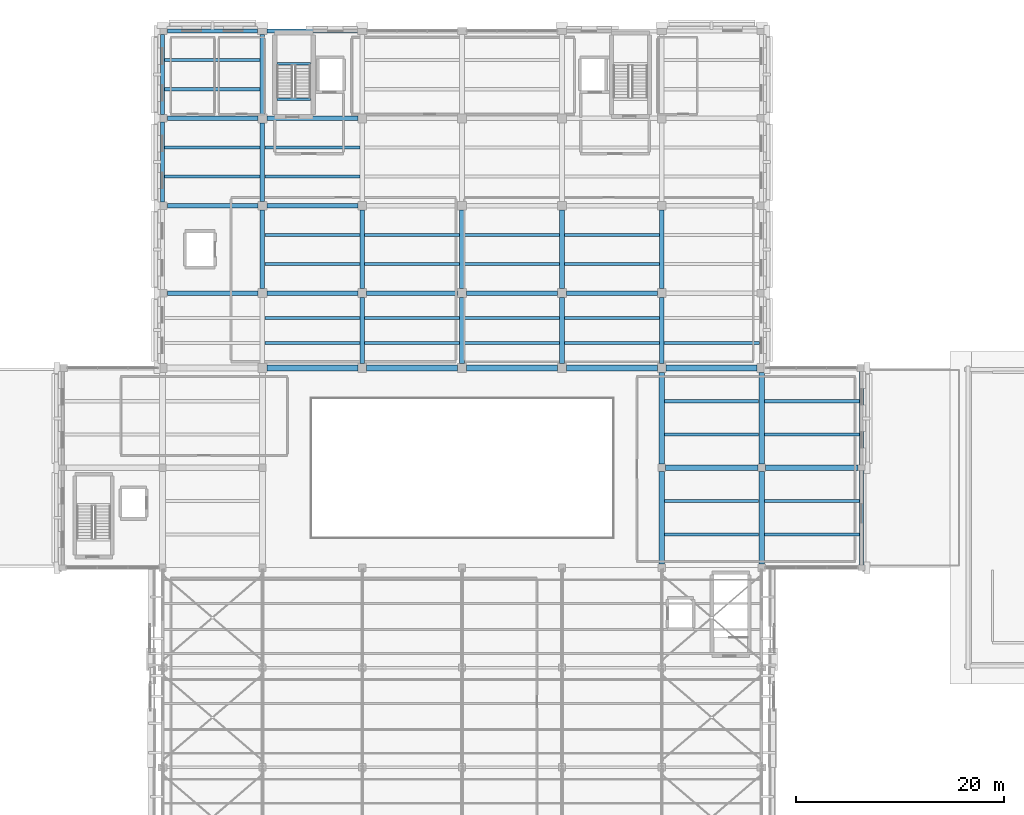
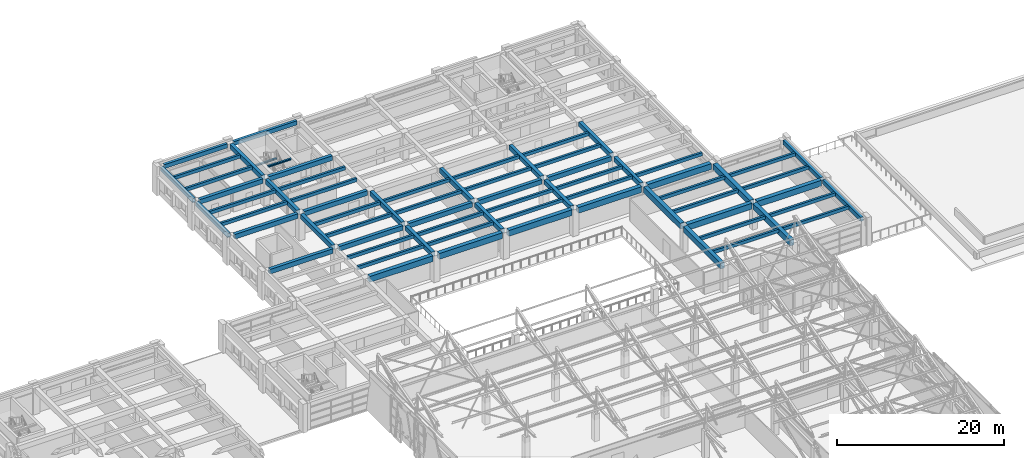
# One storey, part 29 of 71: 70 beams.
"""IFC4 building model written with IfcOpenShell, lengths in metres."""

from ifc_helpers import new_model, si_unit, direction, frame, origin, origin_2d, place, context, subcontext, project, spatial, rectangle, i_section, extrude, material, material_profile, profile_set, type_object, element, save


model = new_model("IFC4")

# Units and contexts
model_context = context("Model", 3, precision=1e-05, world=origin(), true_north=direction((0.0, 1.0)))
body_context = subcontext(model_context, "Body", "Model", "MODEL_VIEW")
ifc_project = project(units=[si_unit("LENGTHUNIT", "METRE"), si_unit("AREAUNIT", "SQUARE_METRE"), si_unit("VOLUMEUNIT", "CUBIC_METRE"), si_unit("PLANEANGLEUNIT", "RADIAN"), si_unit("MASSUNIT", "GRAM", prefix="KILO")], contexts=[model_context])

# Site, building, storey
site_placement = place(None, origin())
site = spatial("IfcSite", under=ifc_project, at=site_placement, CompositionType="ELEMENT")
building_placement = place(site_placement, origin())
building = spatial("IfcBuilding", under=site, at=building_placement, Name="Bempovik Park Faculty of Sciences", CompositionType="ELEMENT")
storey_placement = place(building_placement, frame((0.0, 0.0, 14.10009765625)))
storey = spatial("IfcBuildingStorey", under=building, at=storey_placement, Name="L03", CompositionType="ELEMENT", Elevation=14.10009765625)

# Beams
ifc_material_1 = material(Name="Concrete C35/45", Category="concrete")
ifc_material_profile_1 = material_profile(ifc_material_1, rectangle(XDim=0.3798828125, YDim=0.60009765625, at=origin_2d()), Name="RC 380x600")
ifc_profile_set_1 = profile_set([ifc_material_profile_1], Name="Concrete C35/45")
beam_type_1 = type_object("IfcBeamType", Name="B-032 RC 380x600", PredefinedType="SPANDREL", material=ifc_profile_set_1)
for number, where, z_axis, x_axis, name in (
    (1, (60.4560546875, 119.39990234375, 3.599853515625), (1.0, 0.0, 0.0), (0.0, 1.0, 0.0), "L03 Beam X (60.0-69.6, y=119.4)"),
    (2, (70.055908203125, 119.39990234375, 3.599853515625), (1.0, 0.0, 0.0), (0.0, 1.0, 0.0), "L03 Beam X (69.6-79.2, y=119.4)"),
):
    element("IfcBeam", number, at=place(storey_placement, frame(where, z_axis=z_axis, x_axis=x_axis)), inside=storey, type_object=beam_type_1, Name=name, PredefinedType="SPANDREL", context=body_context, shape_type="SweptSolid", body=[
        extrude(rectangle(XDim=0.3798828125, YDim=0.60009765625, at=origin_2d()), origin(), (0.0, 0.0, 1.0), 8.68798828125),
    ])
for number, where, z_axis, x_axis, name in (
    (3, (60.0, 102.9560546875, 3.599853515625), (0.0, 1.0, 0.0), (-1.0, 0.0, 0.0), "L03 Beam Y (x=60.0, 102.6-111.0)"),
    (4, (60.0, 111.35595703125, 3.599853515625), (0.0, 1.0, 0.0), (-1.0, 0.0, 0.0), "L03 Beam Y (x=60.0, 111.0-119.4)"),
):
    element("IfcBeam", number, at=place(storey_placement, frame(where, z_axis=z_axis, x_axis=x_axis)), inside=storey, type_object=beam_type_1, Name=name, PredefinedType="SPANDREL", context=body_context, shape_type="SweptSolid", body=[
        extrude(rectangle(XDim=0.3798828125, YDim=0.60009765625, at=origin_2d()), origin(), (0.0, 0.0, 1.0), 7.68798828125),
    ])
beam_1_placement = place(storey_placement, frame((127.199951171875, 68.055908203125, 3.599853515625), z_axis=(0.0, 1.0, 0.0), x_axis=(-1.0, 0.0, 0.0)))
element("IfcBeam", 5, at=beam_1_placement, inside=storey, type_object=beam_type_1, Name="L03 Beam Y (x=127.2, 67.8-77.4)", PredefinedType="SPANDREL", context=body_context, shape_type="SweptSolid", body=[
    extrude(rectangle(XDim=0.3798828125, YDim=0.60009765625, at=origin_2d()), origin(), (0.0, 0.0, 1.0), 9.088134765625),
])
beam_2_placement = place(storey_placement, frame((127.199951171875, 77.656005859375, 3.599853515625), z_axis=(0.0, 1.0, 0.0), x_axis=(-1.0, 0.0, 0.0)))
element("IfcBeam", 6, at=beam_2_placement, inside=storey, type_object=beam_type_1, Name="L03 Beam Y (x=127.2, 77.4-87.0)", PredefinedType="SPANDREL", context=body_context, shape_type="SweptSolid", body=[
    extrude(rectangle(XDim=0.3798828125, YDim=0.60009765625, at=origin_2d()), origin(), (0.0, 0.0, 1.0), 8.988037109375),
])
ifc_material_profile_2 = material_profile(ifc_material_1, rectangle(XDim=0.300048828125, YDim=0.47998046875, at=origin_2d()), Name="RC 300x480")
ifc_profile_set_2 = profile_set([ifc_material_profile_2], Name="Concrete C35/45")
beam_type_2 = type_object("IfcBeamType", Name="B-039 RC 300x480", PredefinedType="JOIST", material=ifc_profile_set_2)
for number, where, z_axis, x_axis, name in (
    (7, (60.196044921875, 105.39990234375, 3.659912109375), (1.0, 0.0, 0.0), (0.0, 1.0, 0.0), "L03 Secondary Joist (60.0-69.6, y=105.40)"),
    (8, (60.196044921875, 108.199951171875, 3.659912109375), (1.0, 0.0, 0.0), (0.0, 1.0, 0.0), "L03 Secondary Joist (60.0-69.6, y=108.20)"),
    (9, (60.196044921875, 113.800048828125, 3.659912109375), (1.0, 0.0, 0.0), (0.0, 1.0, 0.0), "L03 Secondary Joist (60.0-69.6, y=113.80)"),
    (10, (60.196044921875, 116.60009765625, 3.659912109375), (1.0, 0.0, 0.0), (0.0, 1.0, 0.0), "L03 Secondary Joist (60.0-69.6, y=116.60)"),
):
    element("IfcBeam", number, at=place(storey_placement, frame(where, z_axis=z_axis, x_axis=x_axis)), inside=storey, type_object=beam_type_2, Name=name, PredefinedType="JOIST", context=body_context, shape_type="SweptSolid", body=[
        extrude(rectangle(XDim=0.300048828125, YDim=0.47998046875, at=origin_2d()), origin(), (0.0, 0.0, 1.0), 9.1728515625),
    ])
for number, where, z_axis, x_axis, name in (
    (11, (69.8310546875, 89.39990234375, 3.659912109375), (1.0, 0.0, 0.0), (0.0, 1.0, 0.0), "L03 Secondary Joist (69.6-79.2, y=89.40)"),
    (12, (69.8310546875, 91.800048828125, 3.659912109375), (1.0, 0.0, 0.0), (0.0, 1.0, 0.0), "L03 Secondary Joist (69.6-79.2, y=91.80)"),
    (13, (69.8310546875, 97.0, 3.659912109375), (1.0, 0.0, 0.0), (0.0, 1.0, 0.0), "L03 Secondary Joist (69.6-79.2, y=97.00)"),
    (14, (69.8310546875, 99.800048828125, 3.659912109375), (1.0, 0.0, 0.0), (0.0, 1.0, 0.0), "L03 Secondary Joist (69.6-79.2, y=99.80)"),
    (15, (69.8310546875, 105.39990234375, 3.659912109375), (1.0, 0.0, 0.0), (0.0, 1.0, 0.0), "L03 Secondary Joist (69.6-79.2, y=105.40)"),
    (16, (69.8310546875, 108.199951171875, 3.659912109375), (1.0, 0.0, 0.0), (0.0, 1.0, 0.0), "L03 Secondary Joist (69.6-79.2, y=108.20)"),
):
    element("IfcBeam", number, at=place(storey_placement, frame(where, z_axis=z_axis, x_axis=x_axis)), inside=storey, type_object=beam_type_2, Name=name, PredefinedType="JOIST", context=body_context, shape_type="SweptSolid", body=[
        extrude(rectangle(XDim=0.300048828125, YDim=0.47998046875, at=origin_2d()), origin(), (0.0, 0.0, 1.0), 9.137939453125),
    ])
for number, where, z_axis, x_axis, name in (
    (17, (79.430908203125, 89.39990234375, 3.659912109375), (1.0, 0.0, 0.0), (0.0, 1.0, 0.0), "L03 Secondary Joist (79.2-88.8, y=89.40)"),
    (18, (79.430908203125, 91.800048828125, 3.659912109375), (1.0, 0.0, 0.0), (0.0, 1.0, 0.0), "L03 Secondary Joist (79.2-88.8, y=91.80)"),
    (19, (79.430908203125, 97.0, 3.659912109375), (1.0, 0.0, 0.0), (0.0, 1.0, 0.0), "L03 Secondary Joist (79.2-88.8, y=97.00)"),
    (20, (79.430908203125, 99.800048828125, 3.659912109375), (1.0, 0.0, 0.0), (0.0, 1.0, 0.0), "L03 Secondary Joist (79.2-88.8, y=99.80)"),
):
    element("IfcBeam", number, at=place(storey_placement, frame(where, z_axis=z_axis, x_axis=x_axis)), inside=storey, type_object=beam_type_2, Name=name, PredefinedType="JOIST", context=body_context, shape_type="SweptSolid", body=[
        extrude(rectangle(XDim=0.300048828125, YDim=0.47998046875, at=origin_2d()), origin(), (0.0, 0.0, 1.0), 9.13818359375),
    ])
for number, where, z_axis, x_axis, name in (
    (21, (89.031005859375, 89.39990234375, 3.659912109375), (1.0, 0.0, 0.0), (0.0, 1.0, 0.0), "L03 Secondary Joist (88.8-98.4, y=89.40)"),
    (22, (89.031005859375, 91.800048828125, 3.659912109375), (1.0, 0.0, 0.0), (0.0, 1.0, 0.0), "L03 Secondary Joist (88.8-98.4, y=91.80)"),
    (23, (89.031005859375, 97.0, 3.659912109375), (1.0, 0.0, 0.0), (0.0, 1.0, 0.0), "L03 Secondary Joist (88.8-98.4, y=97.00)"),
    (24, (89.031005859375, 99.800048828125, 3.659912109375), (1.0, 0.0, 0.0), (0.0, 1.0, 0.0), "L03 Secondary Joist (88.8-98.4, y=99.80)"),
    (25, (98.631103515625, 89.39990234375, 3.659912109375), (1.0, 0.0, 0.0), (0.0, 1.0, 0.0), "L03 Secondary Joist (98.4-108.0, y=89.40)"),
    (26, (98.631103515625, 91.800048828125, 3.659912109375), (1.0, 0.0, 0.0), (0.0, 1.0, 0.0), "L03 Secondary Joist (98.4-108.0, y=91.80)"),
    (27, (98.631103515625, 97.0, 3.659912109375), (1.0, 0.0, 0.0), (0.0, 1.0, 0.0), "L03 Secondary Joist (98.4-108.0, y=97.00)"),
    (28, (98.631103515625, 99.800048828125, 3.659912109375), (1.0, 0.0, 0.0), (0.0, 1.0, 0.0), "L03 Secondary Joist (98.4-108.0, y=99.80)"),
):
    element("IfcBeam", number, at=place(storey_placement, frame(where, z_axis=z_axis, x_axis=x_axis)), inside=storey, type_object=beam_type_2, Name=name, PredefinedType="JOIST", context=body_context, shape_type="SweptSolid", body=[
        extrude(rectangle(XDim=0.300048828125, YDim=0.47998046875, at=origin_2d()), origin(), (0.0, 0.0, 1.0), 9.137939453125),
    ])
for number, where, z_axis, x_axis, name in (
    (29, (108.281005859375, 71.0, 3.659912109375), (1.0, 0.0, 0.0), (0.0, 1.0, 0.0), "L03 Secondary Joist (108.0-117.6, y=71.00)"),
    (30, (108.281005859375, 74.199951171875, 3.659912109375), (1.0, 0.0, 0.0), (0.0, 1.0, 0.0), "L03 Secondary Joist (108.0-117.6, y=74.20)"),
    (31, (108.281005859375, 80.60009765625, 3.659912109375), (1.0, 0.0, 0.0), (0.0, 1.0, 0.0), "L03 Secondary Joist (108.0-117.6, y=80.60)"),
    (32, (108.281005859375, 83.800048828125, 3.659912109375), (1.0, 0.0, 0.0), (0.0, 1.0, 0.0), "L03 Secondary Joist (108.0-117.6, y=83.80)"),
):
    element("IfcBeam", number, at=place(storey_placement, frame(where, z_axis=z_axis, x_axis=x_axis)), inside=storey, type_object=beam_type_2, Name=name, PredefinedType="JOIST", context=body_context, shape_type="SweptSolid", body=[
        extrude(rectangle(XDim=0.300048828125, YDim=0.47998046875, at=origin_2d()), origin(), (0.0, 0.0, 1.0), 9.0380859375),
    ])
beam_3_placement = place(storey_placement, frame((108.23095703125, 89.39990234375, 3.659912109375), z_axis=(1.0, 0.0, 0.0), x_axis=(0.0, 1.0, 0.0)))
element("IfcBeam", 33, at=beam_3_placement, inside=storey, type_object=beam_type_2, Name="L03 Secondary Joist (108.0-117.6, y=89.40)", PredefinedType="JOIST", context=body_context, shape_type="SweptSolid", body=[
    extrude(rectangle(XDim=0.300048828125, YDim=0.47998046875, at=origin_2d()), origin(), (0.0, 0.0, 1.0), 9.173095703125),
])
for number, where, z_axis, x_axis, name in (
    (34, (117.881103515625, 71.0, 3.659912109375), (1.0, 0.0, 0.0), (0.0, 1.0, 0.0), "L03 Secondary Joist (117.6-127.2, y=71.00)"),
    (35, (117.881103515625, 74.199951171875, 3.659912109375), (1.0, 0.0, 0.0), (0.0, 1.0, 0.0), "L03 Secondary Joist (117.6-127.2, y=74.20)"),
    (36, (117.881103515625, 80.60009765625, 3.659912109375), (1.0, 0.0, 0.0), (0.0, 1.0, 0.0), "L03 Secondary Joist (117.6-127.2, y=80.60)"),
    (37, (117.881103515625, 83.800048828125, 3.659912109375), (1.0, 0.0, 0.0), (0.0, 1.0, 0.0), "L03 Secondary Joist (117.6-127.2, y=83.80)"),
):
    element("IfcBeam", number, at=place(storey_placement, frame(where, z_axis=z_axis, x_axis=x_axis)), inside=storey, type_object=beam_type_2, Name=name, PredefinedType="JOIST", context=body_context, shape_type="SweptSolid", body=[
        extrude(rectangle(XDim=0.300048828125, YDim=0.47998046875, at=origin_2d()), origin(), (0.0, 0.0, 1.0), 9.122802734375),
    ])
ifc_material_2 = material(Name="Steel S355", Category="steel")
ifc_material_profile_3 = material_profile(ifc_material_2, i_section(OverallWidth=0.239990234375, OverallDepth=0.22998046875, WebThickness=0.007568359375, FlangeThickness=0.011962890625, at=origin_2d()), Name="HEA 240")
ifc_profile_set_3 = profile_set([ifc_material_profile_3], Name="Steel S355")
beam_type_3 = type_object("IfcBeamType", Name="B-070 HEA 240", PredefinedType="BEAM", material=ifc_profile_set_3)
for number, where, z_axis, x_axis, name in (
    (38, (71.006103515625, 116.24365234375, 1.784912109375), (1.0, 0.0, 0.0), (0.0, 1.0, 0.0), "L03 ST-1 Half-Landing Trimmer Beam"),
    (39, (71.006103515625, 112.85009765625, 3.784912109375), (1.0, 0.0, 0.0), (0.0, 1.0, 0.0), "L04 ST-1 Floor Landing Trimmer Beam"),
):
    element("IfcBeam", number, at=place(storey_placement, frame(where, z_axis=z_axis, x_axis=x_axis)), inside=storey, type_object=beam_type_3, Name=name, PredefinedType="BEAM", context=body_context, shape_type="SweptSolid", body=[
        extrude(i_section(OverallWidth=0.239990234375, OverallDepth=0.22998046875, WebThickness=0.007568359375, FlangeThickness=0.011962890625, at=origin_2d()), origin(), (0.0, 0.0, 1.0), 3.23779296875),
    ])
ifc_material_3 = material(Name="Concrete C40/50", Category="concrete")
ifc_material_profile_4 = material_profile(ifc_material_3, rectangle(XDim=0.550048828125, YDim=0.85009765625, at=origin_2d()), Name="RC 550x850")
ifc_profile_set_4 = profile_set([ifc_material_profile_4], Name="Concrete C40/50")
beam_type_4 = type_object("IfcBeamType", Name="B-080 RC 550x850", PredefinedType="BEAM", material=ifc_profile_set_4)
for number, where, z_axis, x_axis, name in (
    (40, (108.35595703125, 77.39990234375, 3.474853515625), (1.0, 0.0, 0.0), (0.0, 1.0, 0.0), "L03 Beam X (108.0-117.6, y=77.4)"),
    (41, (117.9560546875, 77.39990234375, 3.474853515625), (1.0, 0.0, 0.0), (0.0, 1.0, 0.0), "L03 Beam X (117.6-127.2, y=77.4)"),
):
    element("IfcBeam", number, at=place(storey_placement, frame(where, z_axis=z_axis, x_axis=x_axis)), inside=storey, type_object=beam_type_4, Name=name, PredefinedType="BEAM", context=body_context, shape_type="SweptSolid", body=[
        extrude(rectangle(XDim=0.550048828125, YDim=0.85009765625, at=origin_2d()), origin(), (0.0, 0.0, 1.0), 8.887939453125),
    ])
beam_4_placement = place(storey_placement, frame((70.031005859375, 87.0, 3.474853515625), z_axis=(1.0, 0.0, 0.0), x_axis=(0.0, 1.0, 0.0)))
element("IfcBeam", 42, at=beam_4_placement, inside=storey, type_object=beam_type_4, Name="L03 Beam X (69.6-79.2, y=87.0)", PredefinedType="BEAM", context=body_context, shape_type="SweptSolid", body=[
    extrude(rectangle(XDim=0.550048828125, YDim=0.85009765625, at=origin_2d()), origin(), (0.0, 0.0, 1.0), 8.738037109375),
])
beam_5_placement = place(storey_placement, frame((79.631103515625, 87.0, 3.474853515625), z_axis=(1.0, 0.0, 0.0), x_axis=(0.0, 1.0, 0.0)))
element("IfcBeam", 43, at=beam_5_placement, inside=storey, type_object=beam_type_4, Name="L03 Beam X (79.2-88.8, y=87.0)", PredefinedType="BEAM", context=body_context, shape_type="SweptSolid", body=[
    extrude(rectangle(XDim=0.550048828125, YDim=0.85009765625, at=origin_2d()), origin(), (0.0, 0.0, 1.0), 8.73779296875),
])
for number, where, z_axis, x_axis, name in (
    (44, (89.23095703125, 87.0, 3.474853515625), (1.0, 0.0, 0.0), (0.0, 1.0, 0.0), "L03 Beam X (88.8-98.4, y=87.0)"),
    (45, (98.8310546875, 87.0, 3.474853515625), (1.0, 0.0, 0.0), (0.0, 1.0, 0.0), "L03 Beam X (98.4-108.0, y=87.0)"),
    (46, (108.430908203125, 87.0, 3.474853515625), (1.0, 0.0, 0.0), (0.0, 1.0, 0.0), "L03 Beam X (108.0-117.6, y=87.0)"),
):
    element("IfcBeam", number, at=place(storey_placement, frame(where, z_axis=z_axis, x_axis=x_axis)), inside=storey, type_object=beam_type_4, Name=name, PredefinedType="BEAM", context=body_context, shape_type="SweptSolid", body=[
        extrude(rectangle(XDim=0.550048828125, YDim=0.85009765625, at=origin_2d()), origin(), (0.0, 0.0, 1.0), 8.738037109375),
    ])
beam_6_placement = place(storey_placement, frame((108.0, 68.156005859375, 3.474853515625), z_axis=(0.0, 1.0, 0.0), x_axis=(-1.0, 0.0, 0.0)))
element("IfcBeam", 47, at=beam_6_placement, inside=storey, type_object=beam_type_4, Name="L03 Beam Y (x=108.0, 67.8-77.4)", PredefinedType="BEAM", context=body_context, shape_type="SweptSolid", body=[
    extrude(rectangle(XDim=0.550048828125, YDim=0.85009765625, at=origin_2d()), origin(), (0.0, 0.0, 1.0), 8.887939453125),
])
beam_7_placement = place(storey_placement, frame((108.0, 77.756103515625, 3.474853515625), z_axis=(0.0, 1.0, 0.0), x_axis=(-1.0, 0.0, 0.0)))
element("IfcBeam", 48, at=beam_7_placement, inside=storey, type_object=beam_type_4, Name="L03 Beam Y (x=108.0, 77.4-87.0)", PredefinedType="BEAM", context=body_context, shape_type="SweptSolid", body=[
    extrude(rectangle(XDim=0.550048828125, YDim=0.85009765625, at=origin_2d()), origin(), (0.0, 0.0, 1.0), 8.81298828125),
])
beam_8_placement = place(storey_placement, frame((117.60009765625, 68.156005859375, 3.474853515625), z_axis=(0.0, 1.0, 0.0), x_axis=(-1.0, 0.0, 0.0)))
element("IfcBeam", 49, at=beam_8_placement, inside=storey, type_object=beam_type_4, Name="L03 Beam Y (x=117.6, 67.8-77.4)", PredefinedType="BEAM", context=body_context, shape_type="SweptSolid", body=[
    extrude(rectangle(XDim=0.550048828125, YDim=0.85009765625, at=origin_2d()), origin(), (0.0, 0.0, 1.0), 8.887939453125),
])
beam_9_placement = place(storey_placement, frame((117.60009765625, 77.756103515625, 3.474853515625), z_axis=(0.0, 1.0, 0.0), x_axis=(-1.0, 0.0, 0.0)))
element("IfcBeam", 50, at=beam_9_placement, inside=storey, type_object=beam_type_4, Name="L03 Beam Y (x=117.6, 77.4-87.0)", PredefinedType="BEAM", context=body_context, shape_type="SweptSolid", body=[
    extrude(rectangle(XDim=0.550048828125, YDim=0.85009765625, at=origin_2d()), origin(), (0.0, 0.0, 1.0), 8.81298828125),
])
ifc_material_profile_5 = material_profile(ifc_material_1, rectangle(XDim=0.449951171875, YDim=0.679931640625, at=origin_2d()), Name="RC 450x680")
ifc_profile_set_5 = profile_set([ifc_material_profile_5], Name="Concrete C35/45")
beam_type_5 = type_object("IfcBeamType", Name="B-113 RC 450x680", PredefinedType="BEAM", material=ifc_profile_set_5)
beam_10_placement = place(storey_placement, frame((60.4560546875, 94.199951171875, 3.559814453125), z_axis=(1.0, 0.0, 0.0), x_axis=(0.0, 1.0, 0.0)))
element("IfcBeam", 51, at=beam_10_placement, inside=storey, type_object=beam_type_5, Name="L03 Beam X (60.0-69.6, y=94.2)", PredefinedType="BEAM", context=body_context, shape_type="SweptSolid", body=[
    extrude(rectangle(XDim=0.449951171875, YDim=0.679931640625, at=origin_2d()), origin(), (0.0, 0.0, 1.0), 8.712890625),
])
beam_11_placement = place(storey_placement, frame((70.031005859375, 94.199951171875, 3.559814453125), z_axis=(1.0, 0.0, 0.0), x_axis=(0.0, 1.0, 0.0)))
element("IfcBeam", 52, at=beam_11_placement, inside=storey, type_object=beam_type_5, Name="L03 Beam X (69.6-79.2, y=94.2)", PredefinedType="BEAM", context=body_context, shape_type="SweptSolid", body=[
    extrude(rectangle(XDim=0.449951171875, YDim=0.679931640625, at=origin_2d()), origin(), (0.0, 0.0, 1.0), 8.738037109375),
])
beam_12_placement = place(storey_placement, frame((79.631103515625, 94.199951171875, 3.559814453125), z_axis=(1.0, 0.0, 0.0), x_axis=(0.0, 1.0, 0.0)))
element("IfcBeam", 53, at=beam_12_placement, inside=storey, type_object=beam_type_5, Name="L03 Beam X (79.2-88.8, y=94.2)", PredefinedType="BEAM", context=body_context, shape_type="SweptSolid", body=[
    extrude(rectangle(XDim=0.449951171875, YDim=0.679931640625, at=origin_2d()), origin(), (0.0, 0.0, 1.0), 8.73779296875),
])
for number, where, z_axis, x_axis, name in (
    (54, (89.23095703125, 94.199951171875, 3.559814453125), (1.0, 0.0, 0.0), (0.0, 1.0, 0.0), "L03 Beam X (88.8-98.4, y=94.2)"),
    (55, (98.8310546875, 94.199951171875, 3.559814453125), (1.0, 0.0, 0.0), (0.0, 1.0, 0.0), "L03 Beam X (98.4-108.0, y=94.2)"),
):
    element("IfcBeam", number, at=place(storey_placement, frame(where, z_axis=z_axis, x_axis=x_axis)), inside=storey, type_object=beam_type_5, Name=name, PredefinedType="BEAM", context=body_context, shape_type="SweptSolid", body=[
        extrude(rectangle(XDim=0.449951171875, YDim=0.679931640625, at=origin_2d()), origin(), (0.0, 0.0, 1.0), 8.738037109375),
    ])
beam_13_placement = place(storey_placement, frame((60.4560546875, 102.60009765625, 3.559814453125), z_axis=(1.0, 0.0, 0.0), x_axis=(0.0, 1.0, 0.0)))
element("IfcBeam", 56, at=beam_13_placement, inside=storey, type_object=beam_type_5, Name="L03 Beam X (60.0-69.6, y=102.6)", PredefinedType="BEAM", context=body_context, shape_type="SweptSolid", body=[
    extrude(rectangle(XDim=0.449951171875, YDim=0.679931640625, at=origin_2d()), origin(), (0.0, 0.0, 1.0), 8.712890625),
])
beam_14_placement = place(storey_placement, frame((70.031005859375, 102.60009765625, 3.559814453125), z_axis=(1.0, 0.0, 0.0), x_axis=(0.0, 1.0, 0.0)))
element("IfcBeam", 57, at=beam_14_placement, inside=storey, type_object=beam_type_5, Name="L03 Beam X (69.6-79.2, y=102.6)", PredefinedType="BEAM", context=body_context, shape_type="SweptSolid", body=[
    extrude(rectangle(XDim=0.449951171875, YDim=0.679931640625, at=origin_2d()), origin(), (0.0, 0.0, 1.0), 8.738037109375),
])
beam_15_placement = place(storey_placement, frame((60.4560546875, 111.0, 3.559814453125), z_axis=(1.0, 0.0, 0.0), x_axis=(0.0, 1.0, 0.0)))
element("IfcBeam", 58, at=beam_15_placement, inside=storey, type_object=beam_type_5, Name="L03 Beam X (60.0-69.6, y=111.0)", PredefinedType="BEAM", context=body_context, shape_type="SweptSolid", body=[
    extrude(rectangle(XDim=0.449951171875, YDim=0.679931640625, at=origin_2d()), origin(), (0.0, 0.0, 1.0), 8.712890625),
])
beam_16_placement = place(storey_placement, frame((70.031005859375, 111.0, 3.559814453125), z_axis=(1.0, 0.0, 0.0), x_axis=(0.0, 1.0, 0.0)))
element("IfcBeam", 59, at=beam_16_placement, inside=storey, type_object=beam_type_5, Name="L03 Beam X (69.6-79.2, y=111.0)", PredefinedType="BEAM", context=body_context, shape_type="SweptSolid", body=[
    extrude(rectangle(XDim=0.449951171875, YDim=0.679931640625, at=origin_2d()), origin(), (0.0, 0.0, 1.0), 8.738037109375),
])
beam_17_placement = place(storey_placement, frame((69.60009765625, 94.631103515625, 3.559814453125), z_axis=(0.0, 1.0, 0.0), x_axis=(-1.0, 0.0, 0.0)))
element("IfcBeam", 60, at=beam_17_placement, inside=storey, type_object=beam_type_5, Name="L03 Beam Y (x=69.6, 94.2-102.6)", PredefinedType="BEAM", context=body_context, shape_type="SweptSolid", body=[
    extrude(rectangle(XDim=0.449951171875, YDim=0.679931640625, at=origin_2d()), origin(), (0.0, 0.0, 1.0), 7.537841796875),
])
beam_18_placement = place(storey_placement, frame((69.60009765625, 103.031005859375, 3.559814453125), z_axis=(0.0, 1.0, 0.0), x_axis=(-1.0, 0.0, 0.0)))
element("IfcBeam", 61, at=beam_18_placement, inside=storey, type_object=beam_type_5, Name="L03 Beam Y (x=69.6, 102.6-111.0)", PredefinedType="BEAM", context=body_context, shape_type="SweptSolid", body=[
    extrude(rectangle(XDim=0.449951171875, YDim=0.679931640625, at=origin_2d()), origin(), (0.0, 0.0, 1.0), 7.5380859375),
])
beam_19_placement = place(storey_placement, frame((69.60009765625, 111.430908203125, 3.559814453125), z_axis=(0.0, 1.0, 0.0), x_axis=(-1.0, 0.0, 0.0)))
element("IfcBeam", 62, at=beam_19_placement, inside=storey, type_object=beam_type_5, Name="L03 Beam Y (x=69.6, 111.0-119.4)", PredefinedType="BEAM", context=body_context, shape_type="SweptSolid", body=[
    extrude(rectangle(XDim=0.449951171875, YDim=0.679931640625, at=origin_2d()), origin(), (0.0, 0.0, 1.0), 7.613037109375),
])
beam_20_placement = place(storey_placement, frame((79.199951171875, 87.430908203125, 3.559814453125), z_axis=(0.0, 1.0, 0.0), x_axis=(-1.0, 0.0, 0.0)))
element("IfcBeam", 63, at=beam_20_placement, inside=storey, type_object=beam_type_5, Name="L03 Beam Y (x=79.2, 87.0-94.2)", PredefinedType="BEAM", context=body_context, shape_type="SweptSolid", body=[
    extrude(rectangle(XDim=0.449951171875, YDim=0.679931640625, at=origin_2d()), origin(), (0.0, 0.0, 1.0), 6.338134765625),
])
beam_21_placement = place(storey_placement, frame((79.199951171875, 94.631103515625, 3.559814453125), z_axis=(0.0, 1.0, 0.0), x_axis=(-1.0, 0.0, 0.0)))
element("IfcBeam", 64, at=beam_21_placement, inside=storey, type_object=beam_type_5, Name="L03 Beam Y (x=79.2, 94.2-102.6)", PredefinedType="BEAM", context=body_context, shape_type="SweptSolid", body=[
    extrude(rectangle(XDim=0.449951171875, YDim=0.679931640625, at=origin_2d()), origin(), (0.0, 0.0, 1.0), 7.537841796875),
])
beam_22_placement = place(storey_placement, frame((88.800048828125, 87.430908203125, 3.559814453125), z_axis=(0.0, 1.0, 0.0), x_axis=(-1.0, 0.0, 0.0)))
element("IfcBeam", 65, at=beam_22_placement, inside=storey, type_object=beam_type_5, Name="L03 Beam Y (x=88.8, 87.0-94.2)", PredefinedType="BEAM", context=body_context, shape_type="SweptSolid", body=[
    extrude(rectangle(XDim=0.449951171875, YDim=0.679931640625, at=origin_2d()), origin(), (0.0, 0.0, 1.0), 6.338134765625),
])
beam_23_placement = place(storey_placement, frame((88.800048828125, 94.631103515625, 3.559814453125), z_axis=(0.0, 1.0, 0.0), x_axis=(-1.0, 0.0, 0.0)))
element("IfcBeam", 66, at=beam_23_placement, inside=storey, type_object=beam_type_5, Name="L03 Beam Y (x=88.8, 94.2-102.6)", PredefinedType="BEAM", context=body_context, shape_type="SweptSolid", body=[
    extrude(rectangle(XDim=0.449951171875, YDim=0.679931640625, at=origin_2d()), origin(), (0.0, 0.0, 1.0), 7.537841796875),
])
beam_24_placement = place(storey_placement, frame((98.39990234375, 87.430908203125, 3.559814453125), z_axis=(0.0, 1.0, 0.0), x_axis=(-1.0, 0.0, 0.0)))
element("IfcBeam", 67, at=beam_24_placement, inside=storey, type_object=beam_type_5, Name="L03 Beam Y (x=98.4, 87.0-94.2)", PredefinedType="BEAM", context=body_context, shape_type="SweptSolid", body=[
    extrude(rectangle(XDim=0.449951171875, YDim=0.679931640625, at=origin_2d()), origin(), (0.0, 0.0, 1.0), 6.338134765625),
])
beam_25_placement = place(storey_placement, frame((98.39990234375, 94.631103515625, 3.559814453125), z_axis=(0.0, 1.0, 0.0), x_axis=(-1.0, 0.0, 0.0)))
element("IfcBeam", 68, at=beam_25_placement, inside=storey, type_object=beam_type_5, Name="L03 Beam Y (x=98.4, 94.2-102.6)", PredefinedType="BEAM", context=body_context, shape_type="SweptSolid", body=[
    extrude(rectangle(XDim=0.449951171875, YDim=0.679931640625, at=origin_2d()), origin(), (0.0, 0.0, 1.0), 7.537841796875),
])
beam_26_placement = place(storey_placement, frame((108.0, 87.430908203125, 3.559814453125), z_axis=(0.0, 1.0, 0.0), x_axis=(-1.0, 0.0, 0.0)))
element("IfcBeam", 69, at=beam_26_placement, inside=storey, type_object=beam_type_5, Name="L03 Beam Y (x=108.0, 87.0-94.2)", PredefinedType="BEAM", context=body_context, shape_type="SweptSolid", body=[
    extrude(rectangle(XDim=0.449951171875, YDim=0.679931640625, at=origin_2d()), origin(), (0.0, 0.0, 1.0), 6.338134765625),
])
beam_27_placement = place(storey_placement, frame((108.0, 94.631103515625, 3.559814453125), z_axis=(0.0, 1.0, 0.0), x_axis=(-1.0, 0.0, 0.0)))
element("IfcBeam", 70, at=beam_27_placement, inside=storey, type_object=beam_type_5, Name="L03 Beam Y (x=108.0, 94.2-102.6)", PredefinedType="BEAM", context=body_context, shape_type="SweptSolid", body=[
    extrude(rectangle(XDim=0.449951171875, YDim=0.679931640625, at=origin_2d()), origin(), (0.0, 0.0, 1.0), 7.537841796875),
])

save(model, "model.ifc")
